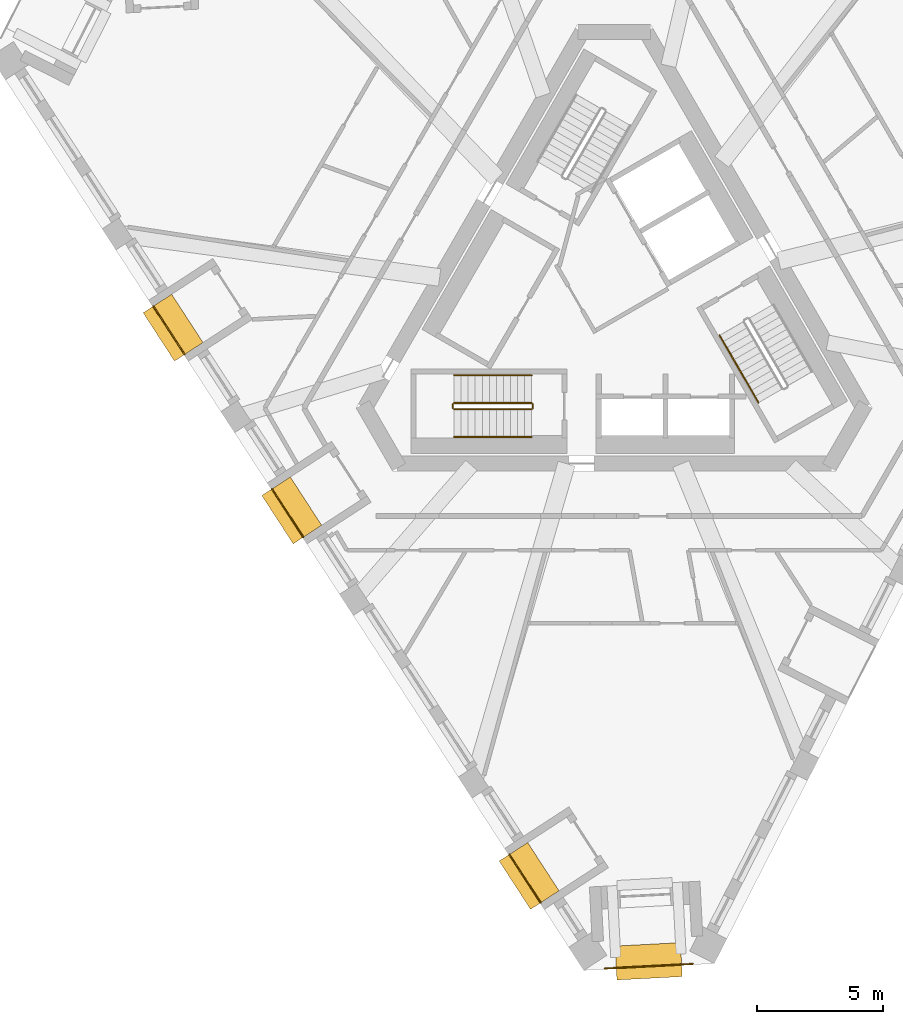
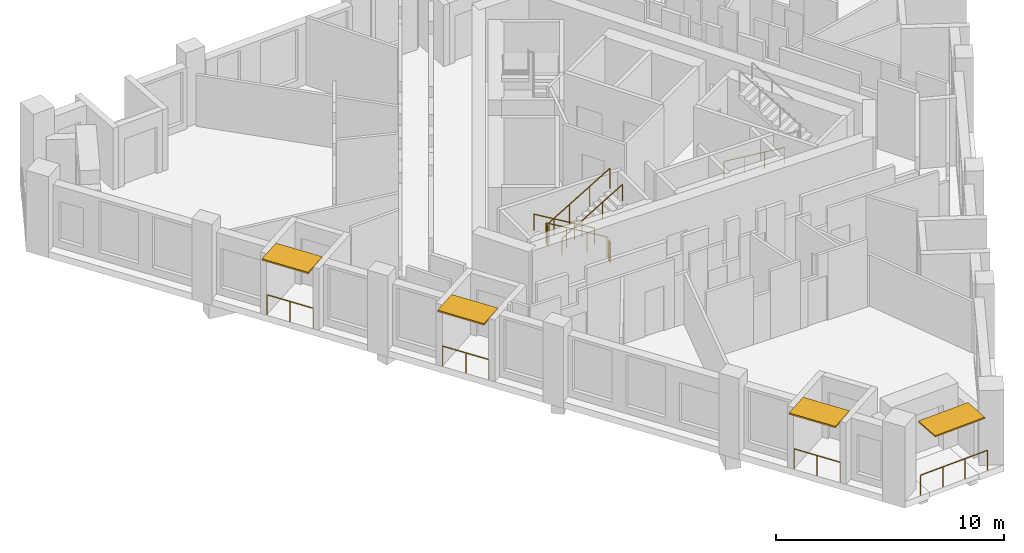
# One storey, part 9 of 12: 11 railings, 4 shading devices.
"""IFC4 building model written with IfcOpenShell, lengths in metres."""

from ifc_helpers import new_model, si_unit, direction, frame, origin, origin_2d, place, context, subcontext, project, spatial, rectangle, circle, extrude, material, layer, layer_set, type_object, element, save


model = new_model("IFC4")

# Units and contexts
model_context = context("Model", 3, precision=1e-05, world=origin(), true_north=direction((0.0, 1.0)))
body_context = subcontext(model_context, "Body", "Model", "MODEL_VIEW")
ifc_project = project(units=[si_unit("LENGTHUNIT", "METRE"), si_unit("AREAUNIT", "SQUARE_METRE"), si_unit("VOLUMEUNIT", "CUBIC_METRE"), si_unit("PLANEANGLEUNIT", "RADIAN"), si_unit("MASSUNIT", "GRAM", prefix="KILO")], contexts=[model_context])

# Site, building, storey
site_placement = place(None, origin())
site = spatial("IfcSite", under=ifc_project, at=site_placement, CompositionType="ELEMENT")
building_placement = place(site_placement, origin())
building = spatial("IfcBuilding", under=site, at=building_placement, Name="Tramontana Tower", CompositionType="ELEMENT")
storey_placement = place(building_placement, frame((0.0, 0.0, 274.39990234375)))
storey = spatial("IfcBuildingStorey", under=building, at=storey_placement, Name="L64", CompositionType="ELEMENT", Elevation=274.39990234375)

# Railings
ifc_material_1 = material(Name="Laminated glass balustrade", Category="glass")
railing_type_1 = type_object("IfcRailingType", Name="GD1 Loggia glass balustrade 1100", PredefinedType="BALUSTRADE", material=ifc_material_1)
railing_1_placement = place(storey_placement, frame((-18.313720703125, -0.20361328125, 0.0)))
element("IfcRailing", 1, at=railing_1_placement, inside=storey, type_object=railing_type_1, Name="Loggia balustrade L64 G7S0.4", PredefinedType="BALUSTRADE", context=body_context, shape_type="SweptSolid", body=[
    extrude(circle(Radius=0.02392578125, at=origin_2d()), frame((0.0, 0.0, 1.076171875), z_axis=(0.544706869801, -0.83862651162, 0.0), x_axis=(0.83862651162, 0.544706869801, 0.0)), (0.0, 0.0, 1.0), 2.286865234375),
    extrude(circle(Radius=0.02099609375, at=origin_2d()), origin(), (0.0, 0.0, 1.0), 1.052001953125),
    extrude(circle(Radius=0.02099609375, at=origin_2d()), frame((0.622802734375, -0.958984375, 0.0)), (0.0, 0.0, 1.0), 1.052001953125),
    extrude(circle(Radius=0.02099609375, at=origin_2d()), frame((1.24560546875, -1.917724609375, 0.0)), (0.0, 0.0, 1.0), 1.052001953125),
])
railing_2_placement = place(storey_placement, frame((-13.596923828125, -7.466552734375, 0.0)))
element("IfcRailing", 2, at=railing_2_placement, inside=storey, type_object=railing_type_1, Name="Loggia balustrade L64 G7S0.7", PredefinedType="BALUSTRADE", context=body_context, shape_type="SweptSolid", body=[
    extrude(circle(Radius=0.02392578125, at=origin_2d()), frame((0.0, 0.0, 1.076171875), z_axis=(0.544583011522, -0.838706947367, 0.0), x_axis=(0.838706947367, 0.544583011522, 0.0)), (0.0, 0.0, 1.0), 2.286865234375),
    extrude(circle(Radius=0.02099609375, at=origin_2d()), origin(), (0.0, 0.0, 1.0), 1.052001953125),
    extrude(circle(Radius=0.02099609375, at=origin_2d()), frame((0.62255859375, -0.958984375, 0.0)), (0.0, 0.0, 1.0), 1.052001953125),
    extrude(circle(Radius=0.02099609375, at=origin_2d()), frame((1.245361328125, -1.91796875, 0.0)), (0.0, 0.0, 1.0), 1.052001953125),
])
railing_3_placement = place(storey_placement, frame((-4.16357421875, -21.992919921875, 0.0)))
element("IfcRailing", 3, at=railing_3_placement, inside=storey, type_object=railing_type_1, Name="Loggia balustrade L64 G7S0.13", PredefinedType="BALUSTRADE", context=body_context, shape_type="SweptSolid", body=[
    extrude(circle(Radius=0.02392578125, at=origin_2d()), frame((0.0, 0.0, 1.076171875), z_axis=(0.544706869801, -0.83862651162, 0.0), x_axis=(0.83862651162, 0.544706869801, 0.0)), (0.0, 0.0, 1.0), 2.286865234375),
    extrude(circle(Radius=0.02099609375, at=origin_2d()), origin(), (0.0, 0.0, 1.0), 1.052001953125),
    extrude(circle(Radius=0.02099609375, at=origin_2d()), frame((0.622802734375, -0.958984375, 0.0)), (0.0, 0.0, 1.0), 1.052001953125),
    extrude(circle(Radius=0.02099609375, at=origin_2d()), frame((1.24560546875, -1.917724609375, 0.0)), (0.0, 0.0, 1.0), 1.052001953125),
])
railing_4_placement = place(storey_placement, frame((3.1328125, -26.342041015625, 0.0)))
element("IfcRailing", 4, at=railing_4_placement, inside=storey, type_object=railing_type_1, Name="Corner loggia balustrade L64 K71", PredefinedType="BALUSTRADE", context=body_context, shape_type="SweptSolid", body=[
    extrude(circle(Radius=0.02392578125, at=origin_2d()), frame((0.0, 0.0, 1.076171875), z_axis=(-0.998626871225, -0.0523867547, 0.0), x_axis=(0.0523867547, -0.998626871225, 0.0)), (0.0, 0.0, 1.0), 3.5),
    extrude(circle(Radius=0.02099609375, at=origin_2d()), origin(), (0.0, 0.0, 1.0), 1.052001953125),
    extrude(circle(Radius=0.02099609375, at=origin_2d()), frame((-1.1650390625, -0.06103515625, 0.0)), (0.0, 0.0, 1.0), 1.052001953125),
    extrude(circle(Radius=0.02099609375, at=origin_2d()), frame((-2.330078125, -0.122314453125, 0.0)), (0.0, 0.0, 1.0), 1.052001953125),
    extrude(circle(Radius=0.02099609375, at=origin_2d()), frame((-3.4951171875, -0.183349609375, 0.0)), (0.0, 0.0, 1.0), 1.052001953125),
])

# Shading devices
ifc_material_2 = material(Name="Precast concrete 60 MPa", Category="concrete")
ifc_layer_1 = layer(ifc_material_2, 0.070068359375)
ifc_layer_set_1 = layer_set([ifc_layer_1], Name="SS2 Stone sunshade blade 70")
shading_device_type_1 = type_object("IfcShadingDeviceType", Name="SS2 Stone sunshade blade 70", PredefinedType="USERDEFINED", material=ifc_layer_set_1)
shading_device_placement = place(storey_placement, frame((1.375244140625, -26.239013671875, 3.22998046875), z_axis=(0.0, 0.0, 1.0), x_axis=(-0.998629534755, -0.052335956243, 0.0)))
element("IfcShadingDevice", 5, at=shading_device_placement, inside=storey, type_object=shading_device_type_1, Name="Corner sunshade L64 K71", ObjectType="SUNSHADE", PredefinedType="USERDEFINED", context=body_context, shape_type="SweptSolid", body=[
    extrude(rectangle(XDim=2.60009765625, YDim=1.35009765625, at=origin_2d()), origin(), (0.0, 0.0, 1.0), 0.070068359375),
])
ifc_material_3 = material(Name="Precast concrete 60 MPa", Category="concrete")
ifc_layer_2 = layer(ifc_material_3, 0.080078125)
ifc_layer_set_2 = layer_set([ifc_layer_2], Name="SS3 Stone sunshade blade 80")
shading_device_type_2 = type_object("IfcShadingDeviceType", Name="SS3 Stone sunshade blade 80", PredefinedType="USERDEFINED", material=ifc_layer_set_2)
for number, where, z_axis, x_axis, name in (
    (6, (-17.52734375, -1.05615234375, 3.219970703125), (0.0, 0.0, 1.0), (0.544639035015, -0.838670567945, 0.0), "Sunshade L64 G7S0.4"),
    (7, (-12.810791015625, -8.3193359375, 3.219970703125), (0.0, 0.0, 1.0), (0.544639035015, -0.838670567945, 0.0), "Sunshade L64 G7S0.7"),
    (8, (-3.377197265625, -22.845458984375, 3.219970703125), (0.0, 0.0, 1.0), (0.544639035015, -0.838670567945, 0.0), "Sunshade L64 G7S0.13"),
):
    element("IfcShadingDevice", number, at=place(storey_placement, frame(where, z_axis=z_axis, x_axis=x_axis)), inside=storey, type_object=shading_device_type_2, Name=name, ObjectType="SUNSHADE", PredefinedType="USERDEFINED", context=body_context, shape_type="SweptSolid", body=[
        extrude(rectangle(XDim=2.286865234375, YDim=1.35009765625, at=origin_2d()), origin(), (0.0, 0.0, 1.0), 0.080078125),
    ])

# Railings
ifc_material_4 = material(Name="Painted steel", Category="steel")
railing_type_2 = type_object("IfcRailingType", Name="STAIR GUARD 1100", PredefinedType="GUARDRAIL", material=ifc_material_4)
railing_5_placement = place(storey_placement, frame((-3.280029296875, -4.050048828125, 0.166748046875)))
element("IfcRailing", 9, at=railing_5_placement, inside=storey, type_object=railing_type_2, Name="L64 ST2 stair guard 1", PredefinedType="GUARDRAIL", context=body_context, shape_type="SweptSolid", body=[
    extrude(circle(Radius=0.02392578125, at=origin_2d()), frame((0.0, 0.0, 1.076171875), z_axis=(-0.859308565015, 0.0, 0.511457515432), x_axis=(0.0, -1.0, 0.0)), (0.0, 0.0, 1.0), 3.58447265625),
    extrude(circle(Radius=0.02099609375, at=origin_2d()), origin(), (0.0, 0.0, 1.0), 1.052001953125),
    extrude(circle(Radius=0.02099609375, at=origin_2d()), frame((-1.026611328125, 0.0, 0.611083984375)), (0.0, 0.0, 1.0), 1.052001953125),
    extrude(circle(Radius=0.02099609375, at=origin_2d()), frame((-2.053466796875, 0.0, 1.22216796875)), (0.0, 0.0, 1.0), 1.052001953125),
    extrude(circle(Radius=0.02099609375, at=origin_2d()), frame((-3.080078125, 0.0, 1.833251953125)), (0.0, 0.0, 1.0), 1.052001953125),
])
railing_6_placement = place(storey_placement, frame((-6.360107421875, -4.300048828125, 2.166748046875)))
element("IfcRailing", 10, at=railing_6_placement, inside=storey, type_object=railing_type_2, Name="L64 ST2 stair guard 2", PredefinedType="GUARDRAIL", context=body_context, shape_type="SweptSolid", body=[
    extrude(circle(Radius=0.02392578125, at=origin_2d()), frame((0.0, 0.0, 1.076171875), z_axis=(0.859308565015, 0.0, 0.511457515432), x_axis=(0.0, 1.0, 0.0)), (0.0, 0.0, 1.0), 3.58447265625),
    extrude(circle(Radius=0.02099609375, at=origin_2d()), origin(), (0.0, 0.0, 1.0), 1.052001953125),
    extrude(circle(Radius=0.02099609375, at=origin_2d()), frame((1.026611328125, 0.0, 0.611083984375)), (0.0, 0.0, 1.0), 1.052001953125),
    extrude(circle(Radius=0.02099609375, at=origin_2d()), frame((2.053466796875, 0.0, 1.22216796875)), (0.0, 0.0, 1.0), 1.052001953125),
    extrude(circle(Radius=0.02099609375, at=origin_2d()), frame((3.080078125, 0.0, 1.833251953125)), (0.0, 0.0, 1.0), 1.052001953125),
])
for number, where, name in (
    (11, (-6.409912109375, -4.10009765625, 2.0), "L64 ST2 stair guard 3"),
    (12, (-3.22998046875, -4.10009765625, 0.0), "L64 ST2 stair guard 4"),
):
    element("IfcRailing", number, at=place(storey_placement, frame(where)), inside=storey, type_object=railing_type_2, Name=name, PredefinedType="GUARDRAIL", context=body_context, shape_type="SweptSolid", body=[
        extrude(circle(Radius=0.02392578125, at=origin_2d()), frame((0.0, 0.0, 1.076171875), z_axis=(0.0, -1.0, 0.0), x_axis=(1.0, 0.0, 0.0)), (0.0, 0.0, 1.0), 0.14990234375),
        extrude(circle(Radius=0.02099609375, at=origin_2d()), origin(), (0.0, 0.0, 1.0), 1.052001953125),
        extrude(circle(Radius=0.02099609375, at=origin_2d()), frame((0.0, -0.14990234375, 0.0)), (0.0, 0.0, 1.0), 1.052001953125),
    ])
ifc_material_5 = material(Name="Painted steel", Category="steel")
railing_type_3 = type_object("IfcRailingType", Name="STAIR HANDRAIL 900", PredefinedType="HANDRAIL", material=ifc_material_5)
railing_7_placement = place(storey_placement, frame((-3.280029296875, -2.949951171875, 0.166748046875)))
element("IfcRailing", 13, at=railing_7_placement, inside=storey, type_object=railing_type_3, Name="L64 ST2 stair handrail 1", PredefinedType="HANDRAIL", context=body_context, shape_type="SweptSolid", body=[
    extrude(circle(Radius=0.02392578125, at=origin_2d()), frame((0.0, 0.0, 0.8759765625), z_axis=(-0.859308565015, 0.0, 0.511457515432), x_axis=(0.0, -1.0, 0.0)), (0.0, 0.0, 1.0), 3.58447265625),
    extrude(circle(Radius=0.02099609375, at=origin_2d()), origin(), (0.0, 0.0, 1.0), 0.851806640625),
    extrude(circle(Radius=0.02099609375, at=origin_2d()), frame((-1.026611328125, 0.0, 0.611083984375)), (0.0, 0.0, 1.0), 0.851806640625),
    extrude(circle(Radius=0.02099609375, at=origin_2d()), frame((-2.053466796875, 0.0, 1.22216796875)), (0.0, 0.0, 1.0), 0.851806640625),
    extrude(circle(Radius=0.02099609375, at=origin_2d()), frame((-3.080078125, 0.0, 1.833251953125)), (0.0, 0.0, 1.0), 0.851806640625),
])
railing_8_placement = place(storey_placement, frame((-6.360107421875, -5.39990234375, 2.166748046875)))
element("IfcRailing", 14, at=railing_8_placement, inside=storey, type_object=railing_type_3, Name="L64 ST2 stair handrail 2", PredefinedType="HANDRAIL", context=body_context, shape_type="SweptSolid", body=[
    extrude(circle(Radius=0.02392578125, at=origin_2d()), frame((0.0, 0.0, 0.8759765625), z_axis=(0.859308565015, 0.0, 0.511457515432), x_axis=(0.0, 1.0, 0.0)), (0.0, 0.0, 1.0), 3.58447265625),
    extrude(circle(Radius=0.02099609375, at=origin_2d()), origin(), (0.0, 0.0, 1.0), 0.851806640625),
    extrude(circle(Radius=0.02099609375, at=origin_2d()), frame((1.026611328125, 0.0, 0.611083984375)), (0.0, 0.0, 1.0), 0.851806640625),
    extrude(circle(Radius=0.02099609375, at=origin_2d()), frame((2.053466796875, 0.0, 1.22216796875)), (0.0, 0.0, 1.0), 0.851806640625),
    extrude(circle(Radius=0.02099609375, at=origin_2d()), frame((3.080078125, 0.0, 1.833251953125)), (0.0, 0.0, 1.0), 0.851806640625),
])
railing_9_placement = place(storey_placement, frame((4.19482421875, -1.365478515625, 0.166748046875)))
element("IfcRailing", 15, at=railing_9_placement, inside=storey, type_object=railing_type_3, Name="L64 ST3 stair handrail 1", PredefinedType="HANDRAIL", context=body_context, shape_type="SweptSolid", body=[
    extrude(circle(Radius=0.02392578125, at=origin_2d()), frame((0.0, 0.0, 0.8759765625), z_axis=(0.429649414936, -0.744189839504, 0.511451721109), x_axis=(0.866029832698, 0.499992328818, 0.0)), (0.0, 0.0, 1.0), 3.58447265625),
    extrude(circle(Radius=0.02099609375, at=origin_2d()), origin(), (0.0, 0.0, 1.0), 0.851806640625),
    extrude(circle(Radius=0.02099609375, at=origin_2d()), frame((0.513427734375, -0.88916015625, 0.611083984375)), (0.0, 0.0, 1.0), 0.851806640625),
    extrude(circle(Radius=0.02099609375, at=origin_2d()), frame((1.026611328125, -1.7783203125, 1.22216796875)), (0.0, 0.0, 1.0), 0.851806640625),
    extrude(circle(Radius=0.02099609375, at=origin_2d()), frame((1.5400390625, -2.66748046875, 1.833251953125)), (0.0, 0.0, 1.0), 0.851806640625),
])

save(model, "model.ifc")
